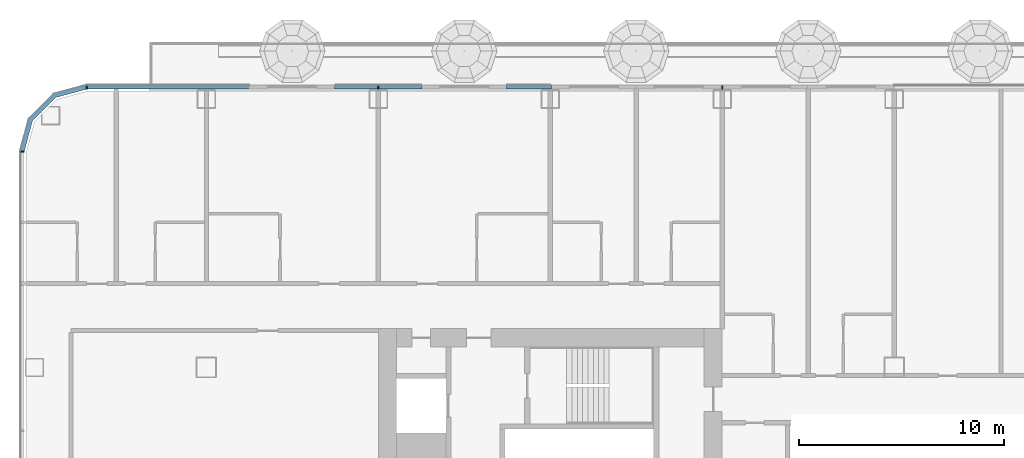
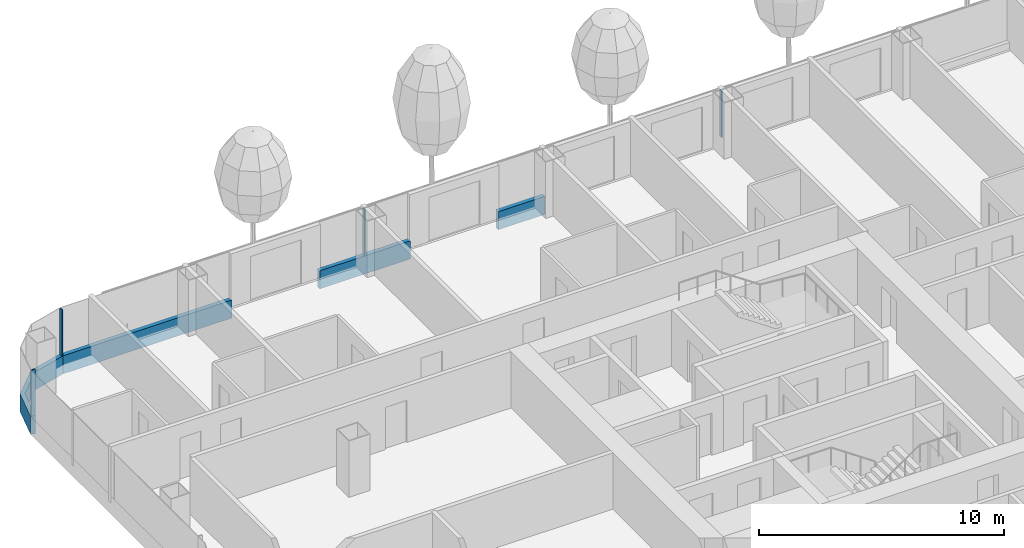
# One storey, part 5 of 37: 8 members, 3 elements without a shape of their own.
"""IFC4 building model written with IfcOpenShell, lengths in metres."""

from ifc_helpers import new_model, si_unit, direction, frame, origin, origin_2d, place, context, subcontext, project, spatial, polyline, rectangle, outline, extrude, material, layer, layer_set, material_profile, profile_set, type_object, element, aggregate, save


model = new_model("IFC4")

# Units and contexts
model_context = context("Model", 3, precision=1e-05, world=origin(), true_north=direction((0.0, 1.0)))
body_context = subcontext(model_context, "Body", "Model", "MODEL_VIEW")
ifc_project = project(units=[si_unit("LENGTHUNIT", "METRE"), si_unit("AREAUNIT", "SQUARE_METRE"), si_unit("VOLUMEUNIT", "CUBIC_METRE"), si_unit("PLANEANGLEUNIT", "RADIAN"), si_unit("MASSUNIT", "GRAM", prefix="KILO")], contexts=[model_context])

# Site, building, storey
site_placement = place(None, origin())
site = spatial("IfcSite", under=ifc_project, at=site_placement, CompositionType="ELEMENT")
building_placement = place(site_placement, origin())
building = spatial("IfcBuilding", under=site, at=building_placement, Name="Hakoniwa Tower and Hamabe Station Hall", CompositionType="ELEMENT")
storey_placement = place(building_placement, frame((0.0, 0.0, 39.0)))
storey = spatial("IfcBuildingStorey", under=building, at=storey_placement, Name="L10", CompositionType="ELEMENT", Elevation=39.0)

# Curtain wall, members
ifc_material_1 = material(Name="Dark low-e laminated glass", Category="glass")
ifc_layer = layer(ifc_material_1, 0.199951171875)
ifc_layer_set = layer_set([ifc_layer], Name="CW-1 UNITISED GUEST")
curtain_wall_type = type_object("IfcCurtainWallType", Name="CW-1 UNITISED GUEST", PredefinedType="NOTDEFINED", material=ifc_layer_set)
curtain_wall_1_placement = place(storey_placement, origin())
curtain_wall_1 = element("IfcCurtainWall", 1, at=curtain_wall_1_placement, inside=storey, type_object=curtain_wall_type, Name="CW-1 curtain wall", PredefinedType="NOTDEFINED")
ifc_material_2 = material(Name="Aluminium 6063-T5 black anodised", Category="aluminium")
ifc_material_profile_1 = material_profile(ifc_material_2, rectangle(XDim=0.199951171875, YDim=0.89990234375, at=origin_2d()), Name="CW SLAB-EDGE BAND 900X200")
ifc_profile_set_1 = profile_set([ifc_material_profile_1], Name="Aluminium 6063-T5 black anodised")
member_type_1 = type_object("IfcMemberType", Name="CW SLAB-EDGE BAND 900X200", PredefinedType="USERDEFINED", material=ifc_profile_set_1)
member_1_placement = place(storey_placement, frame((-25.139892578125, 20.199951171875, -0.10009765625), z_axis=(-1.0, 0.0, 0.0), x_axis=(0.0, -1.0, 0.0)))
member_1 = element("IfcMember", 2, at=member_1_placement, type_object=member_type_1, Name="CW-1 transom", ObjectType="TRANSOM", PredefinedType="USERDEFINED", context=body_context, shape_type="SweptSolid", body=[
    extrude(rectangle(XDim=0.199951171875, YDim=0.89990234375, at=origin_2d()), origin(), (0.0, 0.0, 1.0), 2.190185546875),
])
member_2_placement = place(storey_placement, frame((-31.469970703125, 20.199951171875, -0.10009765625), z_axis=(-1.0, 0.0, 0.0), x_axis=(0.0, -1.0, 0.0)))
member_2 = element("IfcMember", 3, at=member_2_placement, type_object=member_type_1, Name="CW-1 transom", ObjectType="TRANSOM", PredefinedType="USERDEFINED", context=body_context, shape_type="SweptSolid", body=[
    extrude(rectangle(XDim=0.199951171875, YDim=0.89990234375, at=origin_2d()), origin(), (0.0, 0.0, 1.0), 4.260009765625),
])
member_3_placement = place(storey_placement, frame((-39.8701171875, 20.199951171875, -0.10009765625), z_axis=(-1.0, 0.0, 0.0), x_axis=(0.0, -1.0, 0.0)))
member_3 = element("IfcMember", 4, at=member_3_placement, type_object=member_type_1, Name="CW-1 transom", ObjectType="TRANSOM", PredefinedType="USERDEFINED", context=body_context, shape_type="SweptSolid", body=[
    extrude(rectangle(XDim=0.199951171875, YDim=0.89990234375, at=origin_2d()), origin(), (0.0, 0.0, 1.0), 7.969482421875),
])

# Curtain wall, member
curtain_wall_2_placement = place(storey_placement, origin())
curtain_wall_2 = element("IfcCurtainWall", 5, at=curtain_wall_2_placement, inside=storey, type_object=curtain_wall_type, Name="CW-1 curtain wall", PredefinedType="NOTDEFINED")
member_4_placement = place(storey_placement, frame((0.0, 0.0, -0.550048828125)))
member_4 = element("IfcMember", 6, at=member_4_placement, type_object=member_type_1, Name="CW-1 transom", ObjectType="TRANSOM", PredefinedType="USERDEFINED", context=body_context, shape_type="SweptSolid", body=[
    extrude(outline(polyline([(-47.839599609375, 20.300048828125), (-49.455322265625, 19.866943359375), (-50.6669921875, 18.6552734375), (-51.10009765625, 17.03955078125), (-50.90673828125, 16.98779296875), (-50.48779296875, 18.5517578125), (-49.351806640625, 19.687744140625), (-47.787841796875, 20.10693359375), (-47.839599609375, 20.300048828125)])), origin(), (0.0, 0.0, 1.0), 0.900146484375),
])
aggregate(curtain_wall_2, [member_4])

# Member
ifc_material_3 = material(Name="Aluminium 6063-T5 black anodised", Category="aluminium")
ifc_material_profile_2 = material_profile(ifc_material_3, rectangle(XDim=0.06005859375, YDim=0.179931640625, at=origin_2d()), Name="CW-1 MULLION 60X180")
ifc_profile_set_2 = profile_set([ifc_material_profile_2], Name="Aluminium 6063-T5 black anodised")
member_type_2 = type_object("IfcMemberType", Name="CW-1 MULLION 60X180", PredefinedType="MULLION", material=ifc_profile_set_2)
member_5_placement = place(storey_placement, frame((-16.800048828125, 20.181884765625, 0.35009765625), z_axis=(0.0, 0.0, 1.0), x_axis=(-1.0, 0.0, 0.0)))
member_5 = element("IfcMember", 7, at=member_5_placement, type_object=member_type_2, Name="CW-1 mullion", PredefinedType="MULLION", context=body_context, shape_type="SweptSolid", body=[
    extrude(rectangle(XDim=0.06005859375, YDim=0.179931640625, at=origin_2d()), origin(), (0.0, 0.0, 1.0), 2.2998046875),
])

member_6_placement = place(storey_placement, frame((-33.60009765625, 20.181884765625, 0.35009765625), z_axis=(0.0, 0.0, 1.0), x_axis=(-1.0, 0.0, 0.0)))
member_6 = element("IfcMember", 8, at=member_6_placement, type_object=member_type_2, Name="CW-1 mullion", PredefinedType="MULLION", context=body_context, shape_type="SweptSolid", body=[
    extrude(rectangle(XDim=0.06005859375, YDim=0.179931640625, at=origin_2d()), origin(), (0.0, 0.0, 1.0), 2.2998046875),
])

member_7_placement = place(storey_placement, frame((-47.839599609375, 20.181884765625, 0.35009765625), z_axis=(0.0, 0.0, 1.0), x_axis=(-1.0, 0.0, 0.0)))
member_7 = element("IfcMember", 9, at=member_7_placement, type_object=member_type_2, Name="CW-1 mullion", PredefinedType="MULLION", context=body_context, shape_type="SweptSolid", body=[
    extrude(rectangle(XDim=0.06005859375, YDim=0.179931640625, at=origin_2d()), origin(), (0.0, 0.0, 1.0), 2.2998046875),
])

aggregate(curtain_wall_1, [member_5, member_6, member_7, member_1, member_2, member_3])

# Curtain wall, member
curtain_wall_3_placement = place(storey_placement, origin())
curtain_wall_3 = element("IfcCurtainWall", 10, at=curtain_wall_3_placement, inside=storey, type_object=curtain_wall_type, Name="CW-1 curtain wall", PredefinedType="NOTDEFINED")
member_8_placement = place(storey_placement, frame((-50.98193359375, 17.03955078125, 0.35009765625), z_axis=(0.0, 0.0, 1.0), x_axis=(0.0, -1.0, 0.0)))
member_8 = element("IfcMember", 11, at=member_8_placement, type_object=member_type_2, Name="CW-1 mullion", PredefinedType="MULLION", context=body_context, shape_type="SweptSolid", body=[
    extrude(rectangle(XDim=0.06005859375, YDim=0.179931640625, at=origin_2d()), origin(), (0.0, 0.0, 1.0), 2.2998046875),
])
aggregate(curtain_wall_3, [member_8])

save(model, "model.ifc")
